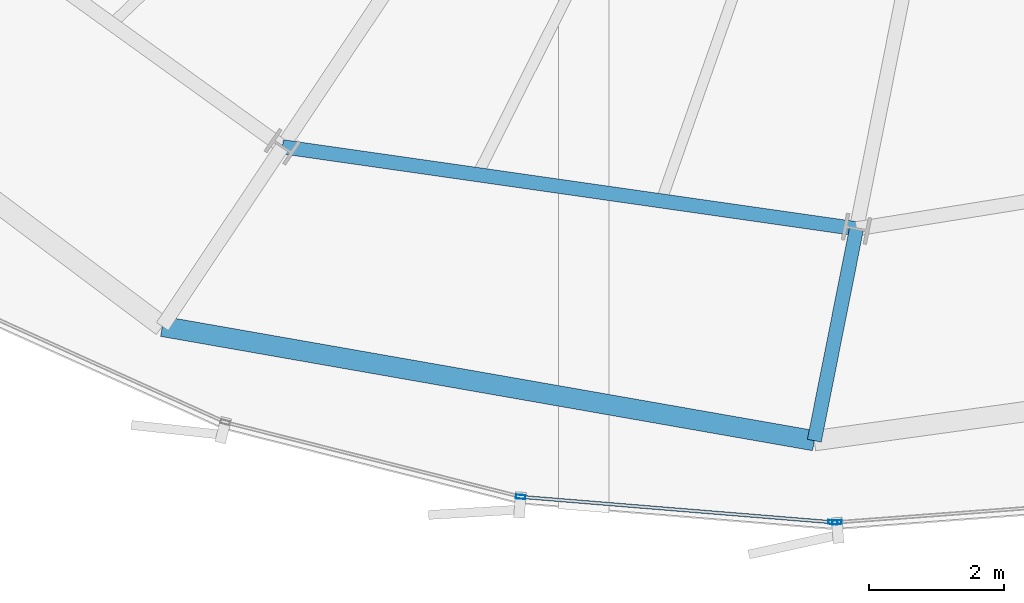
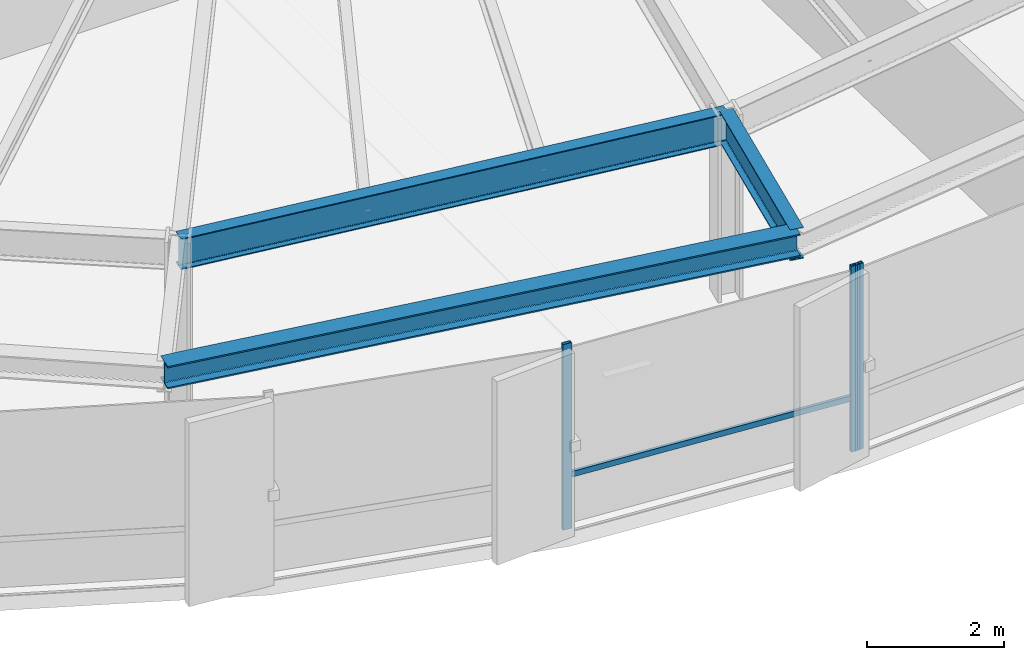
# One storey, part 5 of 35: 4 members, 3 beams, 2 elements without a shape of their own.
"""IFC4 building model written with IfcOpenShell, lengths in metres."""

import ifcopenshell
import ifcopenshell.guid

model = None  # the IFC model being written
_history = None  # IfcOwnerHistory: only IFC2X3 demands one
_inside = {}  # id of a spatial element -> (the spatial element, [elements in it])
_under = {}  # id of a project, library or spatial element -> (it, [spatial elements below it])
_declared = {}  # id of a project -> (the project, [libraries it declares])
_typed = {}  # id of a type object -> (the type object, [elements of that type])
_made_of = {}  # id of a material, layer set ... -> (it, [elements and type objects made of it])


def new_model(schema):
    """Start an empty IFC model of exactly this schema.

    Asked for "IFC4X3", IfcOpenShell would pick the latest addendum, in which some entities
    have other attributes; the version numbers below select the first issue.
    IFC2X3 requires an IfcOwnerHistory on every rooted entity: one is made here for all.
    """
    global model, _history
    if schema == "IFC4X3":
        model = ifcopenshell.file(schema_version=(4, 3, 0, 0))
    else:
        model = ifcopenshell.file(schema=schema)
    _inside.clear()
    _under.clear()
    _declared.clear()
    _typed.clear()
    _made_of.clear()
    _history = None
    if model.schema == "IFC2X3":
        org = make("IfcOrganization", Name="unknown")
        user = make(
            "IfcPersonAndOrganization",
            ThePerson=make("IfcPerson", FamilyName="unknown"),
            TheOrganization=org,
        )
        app = make(
            "IfcApplication",
            ApplicationDeveloper=org,
            Version="unknown",
            ApplicationFullName="unknown",
            ApplicationIdentifier="unknown",
        )
        _history = make(
            "IfcOwnerHistory",
            OwningUser=user,
            OwningApplication=app,
            ChangeAction="ADDED",
            CreationDate=0,
        )
    return model


def make(cls, **values):
    """One entity of the class cls with the attributes given. An attribute that is None is left unset."""
    return model.create_entity(
        cls, **{name: value for name, value in values.items() if value is not None}
    )


def rooted(cls, **values):
    """An entity with a GlobalId (a new one), such as an element, a storey or a relation."""
    return make(cls, GlobalId=ifcopenshell.guid.new(), OwnerHistory=_history, **values)


def si_unit(unit_type, name, prefix=None):
    """IfcSIUnit, for example si_unit("LENGTHUNIT", "METRE", prefix="MILLI")."""
    return make("IfcSIUnit", UnitType=unit_type, Prefix=prefix, Name=name)


def assignment(units):
    """IfcUnitAssignment: the units of a project."""
    return None if units is None else make("IfcUnitAssignment", Units=units)


def point(xyz):
    """IfcCartesianPoint."""
    return None if xyz is None else make("IfcCartesianPoint", Coordinates=xyz)


def direction(xyz):
    """IfcDirection."""
    return None if xyz is None else make("IfcDirection", DirectionRatios=xyz)


def frame(location, z_axis=None, x_axis=None):
    """IfcAxis2Placement3D, a coordinate frame: its origin and axes. An axis left out is left unset."""
    return make(
        "IfcAxis2Placement3D",
        Location=point(location),
        Axis=direction(z_axis),
        RefDirection=direction(x_axis),
    )


def frame_2d(location, x_axis=None):
    """IfcAxis2Placement2D, a coordinate frame in the plane: its origin and x axis."""
    return make(
        "IfcAxis2Placement2D", Location=point(location), RefDirection=direction(x_axis)
    )


def origin():
    """The frame at (0, 0, 0) with its axes left unset."""
    return frame((0.0, 0.0, 0.0))


def origin_2d():
    """The frame at (0, 0) in the plane with its x axis left unset."""
    return frame_2d((0.0, 0.0))


def place(relative_to, where):
    """IfcLocalPlacement: puts the frame where relative to a parent placement (None: the world)."""
    return make(
        "IfcLocalPlacement", PlacementRelTo=relative_to, RelativePlacement=where
    )


def context(
    kind, dimensions, precision=None, world=None, true_north=None, identifier=None
):
    """IfcGeometricRepresentationContext, for example the 3D "Model" context."""
    return make(
        "IfcGeometricRepresentationContext",
        ContextIdentifier=identifier,
        ContextType=kind,
        CoordinateSpaceDimension=dimensions,
        Precision=precision,
        WorldCoordinateSystem=world,
        TrueNorth=true_north,
    )


def subcontext(parent, identifier, kind, view, scale=None):
    """IfcGeometricRepresentationSubContext, for example "Body" below "Model"."""
    return make(
        "IfcGeometricRepresentationSubContext",
        ContextIdentifier=identifier,
        ContextType=kind,
        ParentContext=parent,
        TargetScale=scale,
        TargetView=view,
    )


def project(units=None, contexts=None):
    """IfcProject with its units and contexts."""
    return rooted(
        "IfcProject",
        Name="project",
        RepresentationContexts=contexts,
        UnitsInContext=assignment(units),
    )


def spatial(cls, under=None, at=None, **own):
    """A site, building, storey or space (cls), placed at a placement, below another one or the project."""
    s = rooted(cls, ObjectPlacement=at, **own)
    if under is not None:
        _under.setdefault(under.id(), (under, []))[1].append(s)
    return s


def profile(cls, at=None, kind="AREA", **sizes):
    """A parametric profile (cls). Its sizes go by their IFC names, for example OverallWidth=200.0."""
    return make(cls, ProfileType=kind, Position=at, **sizes)


def hollow_rectangle(**sizes):
    """IfcRectangleHollowProfileDef."""
    return profile("IfcRectangleHollowProfileDef", **sizes)


def i_section(**sizes):
    """IfcIShapeProfileDef."""
    return profile("IfcIShapeProfileDef", **sizes)


def extrude(swept, where, along, depth):
    """IfcExtrudedAreaSolid: the profile swept, set in the frame where, extruded along a direction by depth."""
    return make(
        "IfcExtrudedAreaSolid",
        SweptArea=swept,
        Position=where,
        ExtrudedDirection=direction(along),
        Depth=depth,
    )


def shape(context_of_items, identifier, shape_type, items):
    """IfcShapeRepresentation: the items that make up one representation, for example the "Body"."""
    return make(
        "IfcShapeRepresentation",
        ContextOfItems=context_of_items,
        RepresentationIdentifier=identifier,
        RepresentationType=shape_type,
        Items=items,
    )


def source(mapping_origin, context_of_items, identifier, shape_type, items):
    """IfcRepresentationMap: a shape defined once, which mapped items show again and again."""
    return make(
        "IfcRepresentationMap",
        MappingOrigin=mapping_origin,
        MappedRepresentation=shape(context_of_items, identifier, shape_type, items),
    )


def transform(
    local_origin,
    x_axis=None,
    y_axis=None,
    z_axis=None,
    scale=None,
    scale2=None,
    scale3=None,
    uniform=True,
):
    """IfcCartesianTransformationOperator3D, or its non-uniform kind. x_axis, y_axis, z_axis: its Axis1, 2, 3."""
    if uniform:
        return make(
            "IfcCartesianTransformationOperator3D",
            Axis1=direction(x_axis),
            Axis2=direction(y_axis),
            LocalOrigin=point(local_origin),
            Scale=scale,
            Axis3=direction(z_axis),
        )
    return make(
        "IfcCartesianTransformationOperator3DnonUniform",
        Axis1=direction(x_axis),
        Axis2=direction(y_axis),
        LocalOrigin=point(local_origin),
        Scale=scale,
        Axis3=direction(z_axis),
        Scale2=scale2,
        Scale3=scale3,
    )


def mapped(mapping_source, mapping_target):
    """IfcMappedItem: shows the shape of a source again, moved by a transform."""
    return make(
        "IfcMappedItem", MappingSource=mapping_source, MappingTarget=mapping_target
    )


def material(Name=None, Category=None):
    """IfcMaterial."""
    return make("IfcMaterial", Name=Name, Category=Category)


def layer(
    of_material, thickness, ventilated=None, Name=None, Category=None, Priority=None
):
    """IfcMaterialLayer: one layer of a wall or slab, of a material (None: an air gap)."""
    return make(
        "IfcMaterialLayer",
        Material=of_material,
        LayerThickness=thickness,
        IsVentilated=ventilated,
        Name=Name,
        Category=Category,
        Priority=Priority,
    )


def layer_set(layers, Name=None):
    """IfcMaterialLayerSet."""
    return make("IfcMaterialLayerSet", MaterialLayers=layers, LayerSetName=Name)


def material_profile(
    of_material, cross_section, Name=None, Category=None, Priority=None
):
    """IfcMaterialProfile: a cross section and its material."""
    return make(
        "IfcMaterialProfile",
        Name=Name,
        Material=of_material,
        Profile=cross_section,
        Priority=Priority,
        Category=Category,
    )


def profile_set(profiles, Name=None, composite=None):
    """IfcMaterialProfileSet."""
    return make(
        "IfcMaterialProfileSet",
        Name=Name,
        MaterialProfiles=profiles,
        CompositeProfile=composite,
    )


def made_of(thing, what):
    """Note that an element or type object is made of a material, layer set ...; save() writes the relation."""
    if what is not None:
        _made_of.setdefault(what.id(), (what, []))[1].append(thing)
    return thing


def type_object(cls, material=None, **own):
    """A type object (cls), such as IfcWallType, which elements share."""
    return made_of(rooted(cls, **own), material)


def element(
    cls,
    number,
    at=None,
    inside=None,
    cuts=None,
    type_object=None,
    material=None,
    context=None,
    identifier="Body",
    shape_type=None,
    held_by="IfcProductDefinitionShape",
    body=None,
    shapes=None,
    **own,
):
    """One element of the class cls, such as IfcWall. Its Tag is "e" and its number.

    at: its placement. inside: the storey or other place that contains it. cuts: it is an
    opening in that element (IfcRelVoidsElement). A single representation is given by context,
    identifier, shape_type and body (its items); several are given by shapes. held_by: the class
    of the entity that holds the representations. save() writes the other relations.
    """
    e = rooted(cls, Tag="e%d" % number, ObjectPlacement=at, **own)
    if body is not None:
        shapes = [shape(context, identifier, shape_type, body)]
    if shapes is not None:
        e.Representation = make(held_by, Representations=shapes)
    if inside is not None:
        _inside.setdefault(inside.id(), (inside, []))[1].append(e)
    if cuts is not None:
        rooted(
            "IfcRelVoidsElement", RelatingBuildingElement=cuts, RelatedOpeningElement=e
        )
    if type_object is not None:
        _typed.setdefault(type_object.id(), (type_object, []))[1].append(e)
    return made_of(e, material)


def aggregate(whole, parts):
    """IfcRelAggregates: a whole, such as a stair, and the parts it consists of."""
    return rooted("IfcRelAggregates", RelatingObject=whole, RelatedObjects=parts)


def save(model, path):
    """Write the relations noted so far, then the file.

    IfcRelAggregates (storeys below a building ...), IfcRelContainedInSpatialStructure (elements
    in a storey), IfcRelDefinesByType, IfcRelAssociatesMaterial and IfcRelDeclares: one each for
    every whole, place, type object, material and project.
    """
    for whole, parts in _under.values():
        aggregate(whole, parts)
    for where, things in _inside.values():
        rooted(
            "IfcRelContainedInSpatialStructure",
            RelatedElements=things,
            RelatingStructure=where,
        )
    for kind, things in _typed.values():
        rooted("IfcRelDefinesByType", RelatedObjects=things, RelatingType=kind)
    for what, things in _made_of.values():
        rooted("IfcRelAssociatesMaterial", RelatedObjects=things, RelatingMaterial=what)
    for by, libraries in _declared.values():
        rooted("IfcRelDeclares", RelatingContext=by, RelatedDefinitions=libraries)
    model.write(path)


model = new_model("IFC4")

# Units and contexts
model_context = context("Model", 3, precision=1e-05, world=origin(), true_north=direction((0.0, 1.0)))
body_context = subcontext(model_context, "Body", "Model", "MODEL_VIEW")
ifc_project = project(units=[si_unit("LENGTHUNIT", "METRE"), si_unit("AREAUNIT", "SQUARE_METRE"), si_unit("VOLUMEUNIT", "CUBIC_METRE"), si_unit("PLANEANGLEUNIT", "RADIAN"), si_unit("MASSUNIT", "GRAM", prefix="KILO"), si_unit("THERMODYNAMICTEMPERATUREUNIT", "KELVIN")], contexts=[model_context])

# Site, building, storey
site_placement = place(None, origin())
site = spatial("IfcSite", under=ifc_project, at=site_placement, CompositionType="ELEMENT")
building_placement = place(site_placement, origin())
building = spatial("IfcBuilding", under=site, at=building_placement, Name="Kethvar Cultural Tower", CompositionType="ELEMENT")
storey_placement = place(building_placement, frame((0.0, 0.0, 135.89990234375)))
storey = spatial("IfcBuildingStorey", under=building, at=storey_placement, Name="L34", CompositionType="ELEMENT", Elevation=135.89990234375)

# Beams
ifc_material_1 = material(Name="Steel S355J2", Category="steel")
ifc_material_profile_1 = material_profile(ifc_material_1, i_section(OverallWidth=0.2099609375, OverallDepth=0.550048828125, WebThickness=0.010986328125, FlangeThickness=0.01708984375, FilletRadius=0.02392578125, at=origin_2d()), Name="Steel S355J2 — IPE550")
ifc_profile_set_1 = profile_set([ifc_material_profile_1], Name="Steel S355J2 — IPE550")
beam_type_1 = type_object("IfcBeamType", Name="BM-IPE550", PredefinedType="BEAM", material=ifc_profile_set_1)
shared_shape_1 = source(origin(), body_context, "Body", "SweptSolid", [
    extrude(i_section(OverallWidth=0.2099609375, OverallDepth=0.550048828125, WebThickness=0.010986328125, FlangeThickness=0.01708984375, FilletRadius=0.02392578125, at=origin_2d()), origin(), (0.0, 0.0, 1.0), 3.2001953125),
])
beam_1_placement = place(storey_placement, frame((42.852294921875, 7.95361328125, 3.023193359375), z_axis=(-0.195074368086, -0.980788453702, 0.0), x_axis=(0.980788453702, -0.195074368086, 0.0)))
element("IfcBeam", 1, at=beam_1_placement, inside=storey, type_object=beam_type_1, Name="L34 Perimeter Cantilever Beam RC-12", PredefinedType="BEAM", context=body_context, shape_type="MappedRepresentation", body=[
    mapped(shared_shape_1, transform((0.0, 0.0, 0.0), scale=1.0)),
])
shared_shape_2 = source(origin(), body_context, "Body", "SweptSolid", [
    extrude(i_section(OverallWidth=0.2099609375, OverallDepth=0.550048828125, WebThickness=0.010986328125, FlangeThickness=0.01708984375, FilletRadius=0.02392578125, at=origin_2d()), origin(), (0.0, 0.0, 1.0), 8.587890625),
])
beam_2_placement = place(storey_placement, frame((34.350830078125, 9.16845703125, 3.023193359375), z_axis=(0.989943807123, -0.141461156288, 0.0), x_axis=(0.141461156288, 0.989943807123, 0.0)))
element("IfcBeam", 2, at=beam_2_placement, inside=storey, type_object=beam_type_1, Name="L34 Column Ring Tie Beam CR-11", PredefinedType="BEAM", context=body_context, shape_type="MappedRepresentation", body=[
    mapped(shared_shape_2, transform((0.0, 0.0, 0.0), scale=1.0)),
])
ifc_material_profile_2 = material_profile(ifc_material_1, i_section(OverallWidth=0.300048828125, OverallDepth=0.39990234375, WebThickness=0.013427734375, FlangeThickness=0.02392578125, FilletRadius=0.027099609375, at=origin_2d()), Name="Steel S355J2 — HEB400")
ifc_profile_set_2 = profile_set([ifc_material_profile_2], Name="Steel S355J2 — HEB400")
beam_type_2 = type_object("IfcBeamType", Name="BM-SP400", PredefinedType="SPANDREL", material=ifc_profile_set_2)
shared_shape_3 = source(origin(), body_context, "Body", "SweptSolid", [
    extrude(i_section(OverallWidth=0.300048828125, OverallDepth=0.39990234375, WebThickness=0.013427734375, FlangeThickness=0.02392578125, FilletRadius=0.027099609375, at=origin_2d()), origin(), (0.0, 0.0, 1.0), 9.80224609375),
])
beam_3_placement = place(storey_placement, frame((32.572998046875, 6.5078125, 3.09814453125), z_axis=(0.984974273513, -0.172701130618, 0.0), x_axis=(0.172701130618, 0.984974273513, 0.0)))
element("IfcBeam", 3, at=beam_3_placement, inside=storey, type_object=beam_type_2, Name="L34 Perimeter Spandrel Beam SP-11", PredefinedType="SPANDREL", context=body_context, shape_type="MappedRepresentation", body=[
    mapped(shared_shape_3, transform((0.0, 0.0, 0.0), scale=1.0)),
])

# Curtain wall, members
ifc_material_2 = material(Name="Aluminium 6063-T6", Category="aluminium")
ifc_layer = layer(ifc_material_2, 0.179931640625, Name="Aluminium 6063-T6", Category="aluminium")
ifc_layer_set = layer_set([ifc_layer], Name="Aluminium 6063-T6 (180 mm)")
curtain_wall_type = type_object("IfcCurtainWallType", Name="CW-SYS-04-Z34", PredefinedType="NOTDEFINED", material=ifc_layer_set)
curtain_wall_1_placement = place(storey_placement, origin())
curtain_wall_1 = element("IfcCurtainWall", 4, at=curtain_wall_1_placement, inside=storey, type_object=curtain_wall_type, Name="L34 Curtain Wall Run 04", PredefinedType="NOTDEFINED")
ifc_material_profile_3 = material_profile(ifc_material_2, hollow_rectangle(XDim=0.06005859375, YDim=0.139892578125, WallThickness=0.0048828125, at=origin_2d()), Name="Aluminium 6063-T6 — RHS140x60x5")
ifc_profile_set_3 = profile_set([ifc_material_profile_3], Name="Aluminium 6063-T6 — RHS140x60x5")
member_type_1 = type_object("IfcMemberType", Name="CW-SYS-04-Z34-MUL", PredefinedType="MULLION", material=ifc_profile_set_3)
shared_shape_4 = source(origin(), body_context, "Body", "SweptSolid", [
    extrude(hollow_rectangle(XDim=0.06005859375, YDim=0.139892578125, WallThickness=0.0048828125, at=origin_2d()), origin(), (0.0, 0.0, 1.0), 3.300048828125),
])
member_1_placement = place(storey_placement, frame((37.87890625, 3.98388671875, 0.0), z_axis=(0.0, 0.0, 1.0), x_axis=(0.081173121975, 0.996700017191, 0.0)))
member_1 = element("IfcMember", 5, at=member_1_placement, type_object=member_type_1, Name="CW-L34-R04 Mullion 6", PredefinedType="MULLION", context=body_context, shape_type="MappedRepresentation", body=[
    mapped(shared_shape_4, transform((0.0, 0.0, 0.0), scale=1.0)),
])
member_2_placement = place(storey_placement, frame((42.50341796875, 3.607421875, 0.0), z_axis=(0.0, 0.0, 1.0), x_axis=(0.081173121975, 0.996700017191, 0.0)))
member_2 = element("IfcMember", 6, at=member_2_placement, type_object=member_type_1, Name="CW-L34-R04 Mullion 7", PredefinedType="MULLION", context=body_context, shape_type="MappedRepresentation", body=[
    mapped(shared_shape_4, transform((0.0, 0.0, 0.0), scale=1.0)),
])

# Curtain wall, member
curtain_wall_2_placement = place(storey_placement, origin())
curtain_wall_2 = element("IfcCurtainWall", 7, at=curtain_wall_2_placement, inside=storey, type_object=curtain_wall_type, Name="L34 Curtain Wall Run 05", PredefinedType="NOTDEFINED")
member_3_placement = place(storey_placement, frame((42.564208984375, 3.607177734375, 0.0), z_axis=(0.0, 0.0, 1.0), x_axis=(-0.074630638989, 0.997211245286, 0.0)))
member_3 = element("IfcMember", 8, at=member_3_placement, type_object=member_type_1, Name="CW-L34-R05 Mullion 1", PredefinedType="MULLION", context=body_context, shape_type="MappedRepresentation", body=[
    mapped(shared_shape_4, transform((0.0, 0.0, 0.0), scale=1.0)),
])
aggregate(curtain_wall_2, [member_3])

# Member
ifc_material_profile_4 = material_profile(ifc_material_2, hollow_rectangle(XDim=0.050048828125, YDim=0.10009765625, WallThickness=0.00390625, at=origin_2d()), Name="Aluminium 6063-T6 — RHS100x50x4")
ifc_profile_set_4 = profile_set([ifc_material_profile_4], Name="Aluminium 6063-T6 — RHS100x50x4")
member_type_2 = type_object("IfcMemberType", Name="CW-SYS-04-Z34-TRN", PredefinedType="USERDEFINED", material=ifc_profile_set_4)
shared_shape_5 = source(origin(), body_context, "Body", "SweptSolid", [
    extrude(hollow_rectangle(XDim=0.050048828125, YDim=0.10009765625, WallThickness=0.00390625, at=origin_2d()), origin(), (0.0, 0.0, 1.0), 4.59228515625),
])
member_4_placement = place(storey_placement, frame((37.922119140625, 3.98046875, 0.9501953125), z_axis=(0.996699468096, -0.081179863867, 0.0), x_axis=(0.081179863867, 0.996699468096, 0.0)))
member_4 = element("IfcMember", 9, at=member_4_placement, type_object=member_type_2, Name="CW-L34-R04 Transom 6", ObjectType="TRANSOM", PredefinedType="USERDEFINED", context=body_context, shape_type="MappedRepresentation", body=[
    mapped(shared_shape_5, transform((0.0, 0.0, 0.0), scale=1.0)),
])

aggregate(curtain_wall_1, [member_1, member_2, member_4])

save(model, "model.ifc")
